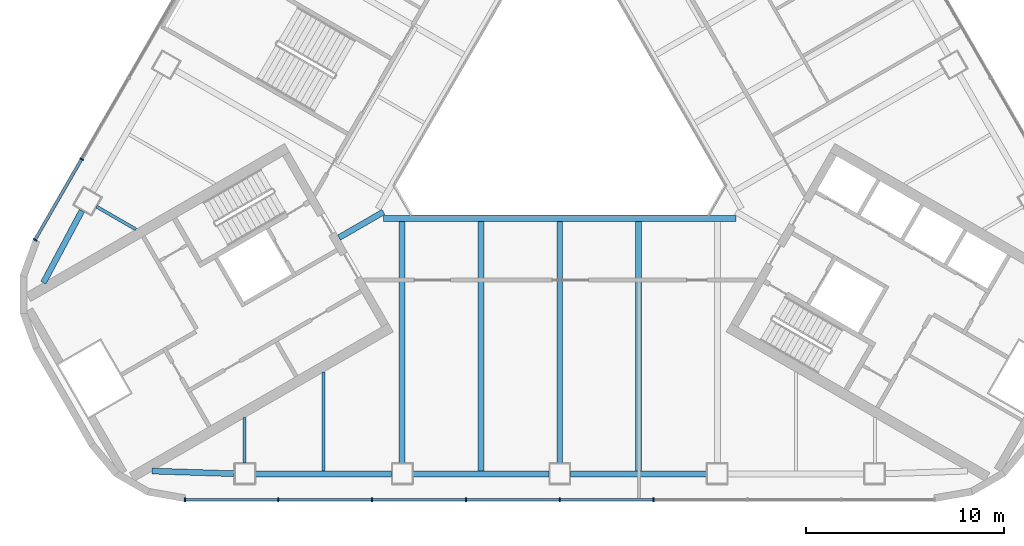
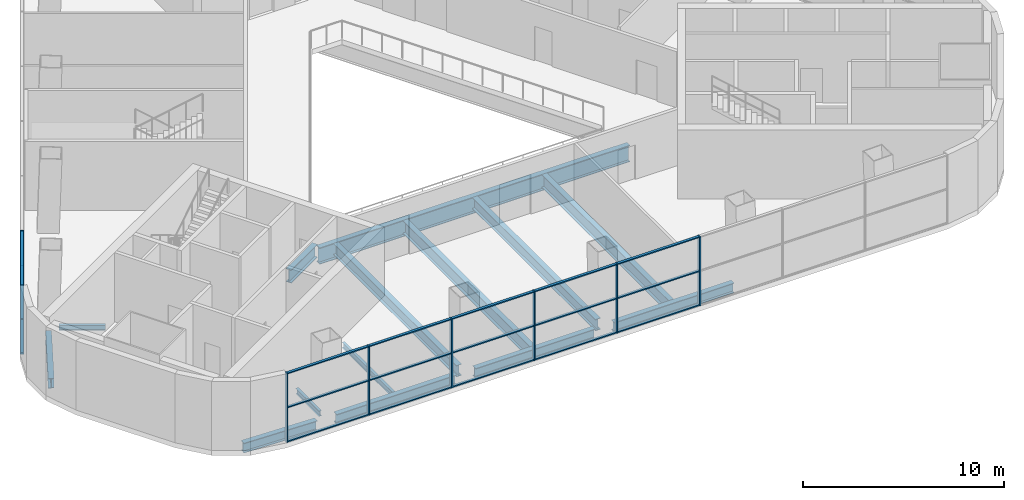
# One storey, part 2 of 12: 26 members, 14 beams, 2 elements without a shape of their own.
"""IFC4 building model written with IfcOpenShell, lengths in metres."""

from ifc_helpers import new_model, si_unit, direction, frame, origin, origin_2d, place, context, subcontext, project, spatial, rectangle, i_section, extrude, material, layer, layer_set, material_profile, profile_set, type_object, element, aggregate, save


model = new_model("IFC4")

# Units and contexts
model_context = context("Model", 3, precision=1e-05, world=origin(), true_north=direction((0.0, 1.0)))
body_context = subcontext(model_context, "Body", "Model", "MODEL_VIEW")
ifc_project = project(units=[si_unit("LENGTHUNIT", "METRE"), si_unit("AREAUNIT", "SQUARE_METRE"), si_unit("VOLUMEUNIT", "CUBIC_METRE"), si_unit("PLANEANGLEUNIT", "RADIAN"), si_unit("MASSUNIT", "GRAM", prefix="KILO")], contexts=[model_context])

# Site, building, storey
site_placement = place(None, origin())
site = spatial("IfcSite", under=ifc_project, at=site_placement, CompositionType="ELEMENT")
building_placement = place(site_placement, origin())
building = spatial("IfcBuilding", under=site, at=building_placement, Name="Apuvela Tower Hotel", CompositionType="ELEMENT")
storey_placement = place(building_placement, frame((0.0, 0.0, 28.5)))
storey = spatial("IfcBuildingStorey", under=building, at=storey_placement, Name="L04", CompositionType="ELEMENT", Elevation=28.5)

# Curtain wall, members
ifc_material_1 = material(Name="Aluminium 6063-T6, dark bronze anodised", Category="aluminium")
ifc_layer = layer(ifc_material_1, 0.199951171875)
ifc_layer_set = layer_set([ifc_layer], Name="ENV-CW-P")
curtain_wall_type = type_object("IfcCurtainWallType", Name="ENV-CW-P", PredefinedType="NOTDEFINED", material=ifc_layer_set)
curtain_wall_1_placement = place(storey_placement, origin())
curtain_wall_1 = element("IfcCurtainWall", 1, at=curtain_wall_1_placement, inside=storey, type_object=curtain_wall_type, Name="Curtain wall CW-P S L04", PredefinedType="NOTDEFINED")
ifc_material_profile_1 = material_profile(ifc_material_1, rectangle(XDim=0.199951171875, YDim=0.06494140625, at=origin_2d()), Name="AL 65x200")
ifc_profile_set_1 = profile_set([ifc_material_profile_1], Name="Aluminium 6063-T6, dark bronze anodised")
member_type_1 = type_object("IfcMemberType", Name="ENV-MULLION-65x200", PredefinedType="MULLION", material=ifc_profile_set_1)
member_1_placement = place(storey_placement, frame((-18.9599609375, -19.71435546875, 0.0), z_axis=(0.0, 0.0, 1.0), x_axis=(0.0, 1.0, 0.0)))
member_1 = element("IfcMember", 2, at=member_1_placement, type_object=member_type_1, Name="CW-P mullion 1", PredefinedType="MULLION", context=body_context, shape_type="SweptSolid", body=[
    extrude(rectangle(XDim=0.199951171875, YDim=0.06494140625, at=origin_2d()), origin(), (0.0, 0.0, 1.0), 4.199951171875),
])
member_2_placement = place(storey_placement, frame((-14.244384765625, -19.71435546875, 0.0), z_axis=(0.0, 0.0, 1.0), x_axis=(0.0, 1.0, 0.0)))
member_2 = element("IfcMember", 3, at=member_2_placement, type_object=member_type_1, Name="CW-P mullion 2", PredefinedType="MULLION", context=body_context, shape_type="SweptSolid", body=[
    extrude(rectangle(XDim=0.199951171875, YDim=0.06494140625, at=origin_2d()), origin(), (0.0, 0.0, 1.0), 4.199951171875),
])
member_3_placement = place(storey_placement, frame((-9.496337890625, -19.71435546875, 0.0), z_axis=(0.0, 0.0, 1.0), x_axis=(0.0, 1.0, 0.0)))
member_3 = element("IfcMember", 4, at=member_3_placement, type_object=member_type_1, Name="CW-P mullion 3", PredefinedType="MULLION", context=body_context, shape_type="SweptSolid", body=[
    extrude(rectangle(XDim=0.199951171875, YDim=0.06494140625, at=origin_2d()), origin(), (0.0, 0.0, 1.0), 4.199951171875),
])
member_4_placement = place(storey_placement, frame((-4.748046875, -19.71435546875, 0.0), z_axis=(0.0, 0.0, 1.0), x_axis=(0.0, 1.0, 0.0)))
member_4 = element("IfcMember", 5, at=member_4_placement, type_object=member_type_1, Name="CW-P mullion 4", PredefinedType="MULLION", context=body_context, shape_type="SweptSolid", body=[
    extrude(rectangle(XDim=0.199951171875, YDim=0.06494140625, at=origin_2d()), origin(), (0.0, 0.0, 1.0), 4.199951171875),
])
member_5_placement = place(storey_placement, frame((0.0, -19.71435546875, 0.0), z_axis=(0.0, 0.0, 1.0), x_axis=(0.0, 1.0, 0.0)))
member_5 = element("IfcMember", 6, at=member_5_placement, type_object=member_type_1, Name="CW-P mullion 5", PredefinedType="MULLION", context=body_context, shape_type="SweptSolid", body=[
    extrude(rectangle(XDim=0.199951171875, YDim=0.06494140625, at=origin_2d()), origin(), (0.0, 0.0, 1.0), 4.199951171875),
])
member_6_placement = place(storey_placement, frame((4.748046875, -19.71435546875, 0.0), z_axis=(0.0, 0.0, 1.0), x_axis=(0.0, 1.0, 0.0)))
member_6 = element("IfcMember", 7, at=member_6_placement, type_object=member_type_1, Name="CW-P mullion 6", PredefinedType="MULLION", context=body_context, shape_type="SweptSolid", body=[
    extrude(rectangle(XDim=0.199951171875, YDim=0.06494140625, at=origin_2d()), origin(), (0.0, 0.0, 1.0), 4.199951171875),
])

curtain_wall_2_placement = place(storey_placement, origin())
curtain_wall_2 = element("IfcCurtainWall", 8, at=curtain_wall_2_placement, inside=storey, type_object=curtain_wall_type, Name="Curtain wall CW-P NW L04", PredefinedType="NOTDEFINED")
member_7_placement = place(storey_placement, frame((-24.1953125, -2.478759765625, 0.0), z_axis=(0.0, 0.0, 1.0), x_axis=(0.866024428615, -0.500001689039, 0.0)))
member_7 = element("IfcMember", 9, at=member_7_placement, type_object=member_type_1, Name="CW-P mullion 8", PredefinedType="MULLION", context=body_context, shape_type="SweptSolid", body=[
    extrude(rectangle(XDim=0.199951171875, YDim=0.06494140625, at=origin_2d()), origin(), (0.0, 0.0, 1.0), 4.199951171875),
])
member_8_placement = place(storey_placement, frame((-26.55322265625, -6.562744140625, 0.0), z_axis=(0.0, 0.0, 1.0), x_axis=(0.866024428615, -0.500001689039, 0.0)))
member_8 = element("IfcMember", 10, at=member_8_placement, type_object=member_type_1, Name="CW-P mullion 9", PredefinedType="MULLION", context=body_context, shape_type="SweptSolid", body=[
    extrude(rectangle(XDim=0.199951171875, YDim=0.06494140625, at=origin_2d()), origin(), (0.0, 0.0, 1.0), 4.199951171875),
])

# Member
ifc_material_profile_2 = material_profile(ifc_material_1, rectangle(XDim=0.14990234375, YDim=0.06494140625, at=origin_2d()), Name="AL 65x150 transom")
ifc_profile_set_2 = profile_set([ifc_material_profile_2], Name="Aluminium 6063-T6, dark bronze anodised")
member_type_2 = type_object("IfcMemberType", Name="ENV-TRANSOM-65x150", PredefinedType="USERDEFINED", material=ifc_profile_set_2)
member_9_placement = place(storey_placement, frame((-18.927490234375, -19.71435546875, 0.032470703125), z_axis=(1.0, 0.0, 0.0), x_axis=(0.0, 1.0, 0.0)))
member_9 = element("IfcMember", 11, at=member_9_placement, type_object=member_type_2, Name="CW-P transom 1.1", ObjectType="TRANSOM", PredefinedType="USERDEFINED", context=body_context, shape_type="SweptSolid", body=[
    extrude(rectangle(XDim=0.14990234375, YDim=0.06494140625, at=origin_2d()), origin(), (0.0, 0.0, 1.0), 4.650634765625),
])

member_10_placement = place(storey_placement, frame((-18.927490234375, -19.71435546875, 2.10009765625), z_axis=(1.0, 0.0, 0.0), x_axis=(0.0, 1.0, 0.0)))
member_10 = element("IfcMember", 12, at=member_10_placement, type_object=member_type_2, Name="CW-P transom 1.2", ObjectType="TRANSOM", PredefinedType="USERDEFINED", context=body_context, shape_type="SweptSolid", body=[
    extrude(rectangle(XDim=0.14990234375, YDim=0.06494140625, at=origin_2d()), origin(), (0.0, 0.0, 1.0), 4.650634765625),
])

member_11_placement = place(storey_placement, frame((-18.927490234375, -19.71435546875, 4.16748046875), z_axis=(1.0, 0.0, 0.0), x_axis=(0.0, 1.0, 0.0)))
member_11 = element("IfcMember", 13, at=member_11_placement, type_object=member_type_2, Name="CW-P transom 1.3", ObjectType="TRANSOM", PredefinedType="USERDEFINED", context=body_context, shape_type="SweptSolid", body=[
    extrude(rectangle(XDim=0.14990234375, YDim=0.06494140625, at=origin_2d()), origin(), (0.0, 0.0, 1.0), 4.650634765625),
])

member_12_placement = place(storey_placement, frame((-14.2119140625, -19.71435546875, 0.032470703125), z_axis=(1.0, 0.0, 0.0), x_axis=(0.0, 1.0, 0.0)))
member_12 = element("IfcMember", 14, at=member_12_placement, type_object=member_type_2, Name="CW-P transom 2.1", ObjectType="TRANSOM", PredefinedType="USERDEFINED", context=body_context, shape_type="SweptSolid", body=[
    extrude(rectangle(XDim=0.14990234375, YDim=0.06494140625, at=origin_2d()), origin(), (0.0, 0.0, 1.0), 4.68310546875),
])

member_13_placement = place(storey_placement, frame((-14.2119140625, -19.71435546875, 2.10009765625), z_axis=(1.0, 0.0, 0.0), x_axis=(0.0, 1.0, 0.0)))
member_13 = element("IfcMember", 15, at=member_13_placement, type_object=member_type_2, Name="CW-P transom 2.2", ObjectType="TRANSOM", PredefinedType="USERDEFINED", context=body_context, shape_type="SweptSolid", body=[
    extrude(rectangle(XDim=0.14990234375, YDim=0.06494140625, at=origin_2d()), origin(), (0.0, 0.0, 1.0), 4.68310546875),
])

member_14_placement = place(storey_placement, frame((-14.2119140625, -19.71435546875, 4.16748046875), z_axis=(1.0, 0.0, 0.0), x_axis=(0.0, 1.0, 0.0)))
member_14 = element("IfcMember", 16, at=member_14_placement, type_object=member_type_2, Name="CW-P transom 2.3", ObjectType="TRANSOM", PredefinedType="USERDEFINED", context=body_context, shape_type="SweptSolid", body=[
    extrude(rectangle(XDim=0.14990234375, YDim=0.06494140625, at=origin_2d()), origin(), (0.0, 0.0, 1.0), 4.68310546875),
])

member_15_placement = place(storey_placement, frame((-9.4638671875, -19.71435546875, 0.032470703125), z_axis=(1.0, 0.0, 0.0), x_axis=(0.0, 1.0, 0.0)))
member_15 = element("IfcMember", 17, at=member_15_placement, type_object=member_type_2, Name="CW-P transom 3.1", ObjectType="TRANSOM", PredefinedType="USERDEFINED", context=body_context, shape_type="SweptSolid", body=[
    extrude(rectangle(XDim=0.14990234375, YDim=0.06494140625, at=origin_2d()), origin(), (0.0, 0.0, 1.0), 4.683349609375),
])

member_16_placement = place(storey_placement, frame((-9.4638671875, -19.71435546875, 2.10009765625), z_axis=(1.0, 0.0, 0.0), x_axis=(0.0, 1.0, 0.0)))
member_16 = element("IfcMember", 18, at=member_16_placement, type_object=member_type_2, Name="CW-P transom 3.2", ObjectType="TRANSOM", PredefinedType="USERDEFINED", context=body_context, shape_type="SweptSolid", body=[
    extrude(rectangle(XDim=0.14990234375, YDim=0.06494140625, at=origin_2d()), origin(), (0.0, 0.0, 1.0), 4.683349609375),
])

member_17_placement = place(storey_placement, frame((-9.4638671875, -19.71435546875, 4.16748046875), z_axis=(1.0, 0.0, 0.0), x_axis=(0.0, 1.0, 0.0)))
member_17 = element("IfcMember", 19, at=member_17_placement, type_object=member_type_2, Name="CW-P transom 3.3", ObjectType="TRANSOM", PredefinedType="USERDEFINED", context=body_context, shape_type="SweptSolid", body=[
    extrude(rectangle(XDim=0.14990234375, YDim=0.06494140625, at=origin_2d()), origin(), (0.0, 0.0, 1.0), 4.683349609375),
])

member_18_placement = place(storey_placement, frame((-4.715576171875, -19.71435546875, 0.032470703125), z_axis=(1.0, 0.0, 0.0), x_axis=(0.0, 1.0, 0.0)))
member_18 = element("IfcMember", 20, at=member_18_placement, type_object=member_type_2, Name="CW-P transom 4.1", ObjectType="TRANSOM", PredefinedType="USERDEFINED", context=body_context, shape_type="SweptSolid", body=[
    extrude(rectangle(XDim=0.14990234375, YDim=0.06494140625, at=origin_2d()), origin(), (0.0, 0.0, 1.0), 4.68310546875),
])

member_19_placement = place(storey_placement, frame((-4.715576171875, -19.71435546875, 2.10009765625), z_axis=(1.0, 0.0, 0.0), x_axis=(0.0, 1.0, 0.0)))
member_19 = element("IfcMember", 21, at=member_19_placement, type_object=member_type_2, Name="CW-P transom 4.2", ObjectType="TRANSOM", PredefinedType="USERDEFINED", context=body_context, shape_type="SweptSolid", body=[
    extrude(rectangle(XDim=0.14990234375, YDim=0.06494140625, at=origin_2d()), origin(), (0.0, 0.0, 1.0), 4.68310546875),
])

member_20_placement = place(storey_placement, frame((-4.715576171875, -19.71435546875, 4.16748046875), z_axis=(1.0, 0.0, 0.0), x_axis=(0.0, 1.0, 0.0)))
member_20 = element("IfcMember", 22, at=member_20_placement, type_object=member_type_2, Name="CW-P transom 4.3", ObjectType="TRANSOM", PredefinedType="USERDEFINED", context=body_context, shape_type="SweptSolid", body=[
    extrude(rectangle(XDim=0.14990234375, YDim=0.06494140625, at=origin_2d()), origin(), (0.0, 0.0, 1.0), 4.68310546875),
])

member_21_placement = place(storey_placement, frame((0.032470703125, -19.71435546875, 0.032470703125), z_axis=(1.0, 0.0, 0.0), x_axis=(0.0, 1.0, 0.0)))
member_21 = element("IfcMember", 23, at=member_21_placement, type_object=member_type_2, Name="CW-P transom 5.1", ObjectType="TRANSOM", PredefinedType="USERDEFINED", context=body_context, shape_type="SweptSolid", body=[
    extrude(rectangle(XDim=0.14990234375, YDim=0.06494140625, at=origin_2d()), origin(), (0.0, 0.0, 1.0), 4.68310546875),
])

member_22_placement = place(storey_placement, frame((0.032470703125, -19.71435546875, 2.10009765625), z_axis=(1.0, 0.0, 0.0), x_axis=(0.0, 1.0, 0.0)))
member_22 = element("IfcMember", 24, at=member_22_placement, type_object=member_type_2, Name="CW-P transom 5.2", ObjectType="TRANSOM", PredefinedType="USERDEFINED", context=body_context, shape_type="SweptSolid", body=[
    extrude(rectangle(XDim=0.14990234375, YDim=0.06494140625, at=origin_2d()), origin(), (0.0, 0.0, 1.0), 4.68310546875),
])

member_23_placement = place(storey_placement, frame((0.032470703125, -19.71435546875, 4.16748046875), z_axis=(1.0, 0.0, 0.0), x_axis=(0.0, 1.0, 0.0)))
member_23 = element("IfcMember", 25, at=member_23_placement, type_object=member_type_2, Name="CW-P transom 5.3", ObjectType="TRANSOM", PredefinedType="USERDEFINED", context=body_context, shape_type="SweptSolid", body=[
    extrude(rectangle(XDim=0.14990234375, YDim=0.06494140625, at=origin_2d()), origin(), (0.0, 0.0, 1.0), 4.68310546875),
])

aggregate(curtain_wall_1, [member_1, member_2, member_3, member_4, member_5, member_6, member_9, member_10, member_11, member_12, member_13, member_14, member_15, member_16, member_17, member_18, member_19, member_20, member_21, member_22, member_23])

member_24_placement = place(storey_placement, frame((-24.211669921875, -2.5068359375, 0.032470703125), z_axis=(-0.499978447692, -0.866037846658, 0.0), x_axis=(0.866037846658, -0.499978447692, 0.0)))
member_24 = element("IfcMember", 26, at=member_24_placement, type_object=member_type_2, Name="CW-P transom 8.1", ObjectType="TRANSOM", PredefinedType="USERDEFINED", context=body_context, shape_type="SweptSolid", body=[
    extrude(rectangle(XDim=0.14990234375, YDim=0.06494140625, at=origin_2d()), origin(), (0.0, 0.0, 1.0), 4.650634765625),
])

member_25_placement = place(storey_placement, frame((-24.211669921875, -2.5068359375, 2.10009765625), z_axis=(-0.499978447692, -0.866037846658, 0.0), x_axis=(0.866037846658, -0.499978447692, 0.0)))
member_25 = element("IfcMember", 27, at=member_25_placement, type_object=member_type_2, Name="CW-P transom 8.2", ObjectType="TRANSOM", PredefinedType="USERDEFINED", context=body_context, shape_type="SweptSolid", body=[
    extrude(rectangle(XDim=0.14990234375, YDim=0.06494140625, at=origin_2d()), origin(), (0.0, 0.0, 1.0), 4.650634765625),
])

member_26_placement = place(storey_placement, frame((-24.211669921875, -2.5068359375, 4.16748046875), z_axis=(-0.499978447692, -0.866037846658, 0.0), x_axis=(0.866037846658, -0.499978447692, 0.0)))
member_26 = element("IfcMember", 28, at=member_26_placement, type_object=member_type_2, Name="CW-P transom 8.3", ObjectType="TRANSOM", PredefinedType="USERDEFINED", context=body_context, shape_type="SweptSolid", body=[
    extrude(rectangle(XDim=0.14990234375, YDim=0.06494140625, at=origin_2d()), origin(), (0.0, 0.0, 1.0), 4.650634765625),
])

aggregate(curtain_wall_2, [member_7, member_8, member_24, member_25, member_26])

# Beams
ifc_material_2 = material(Name="Steel S355", Category="steel")
ifc_material_profile_3 = material_profile(ifc_material_2, i_section(OverallWidth=0.300048828125, OverallDepth=0.68994140625, WebThickness=0.014404296875, FlangeThickness=0.027099609375, at=origin_2d()), Name="HE 700 A")
ifc_profile_set_3 = profile_set([ifc_material_profile_3], Name="Steel S355")
beam_type_1 = type_object("IfcBeamType", Name="STR-B floor beam HE 700 A", PredefinedType="BEAM", material=ifc_profile_set_3)
for number, where, z_axis, x_axis, name in (
    (29, (-7.97412109375, -17.8642578125, -0.64501953125), (0.0, 1.0, 0.0), (-1.0, 0.0, 0.0), "Floor beam B6 S3"),
    (30, (0.0, -17.8642578125, -0.64501953125), (0.0, 1.0, 0.0), (-1.0, 0.0, 0.0), "Floor beam B6 S5"),
):
    element("IfcBeam", number, at=place(storey_placement, frame(where, z_axis=z_axis, x_axis=x_axis)), inside=storey, type_object=beam_type_1, Name=name, PredefinedType="BEAM", context=body_context, shape_type="SweptSolid", body=[
        extrude(i_section(OverallWidth=0.300048828125, OverallDepth=0.68994140625, WebThickness=0.014404296875, FlangeThickness=0.027099609375, at=origin_2d()), origin(), (0.0, 0.0, 1.0), 12.2421875),
    ])
ifc_material_profile_4 = material_profile(ifc_material_2, i_section(OverallWidth=0.300048828125, OverallDepth=0.7900390625, WebThickness=0.014892578125, FlangeThickness=0.028076171875, at=origin_2d()), Name="HE 800 A")
ifc_profile_set_4 = profile_set([ifc_material_profile_4], Name="Steel S355")
beam_type_2 = type_object("IfcBeamType", Name="STR-B floor beam HE 800 A", PredefinedType="BEAM", material=ifc_profile_set_4)
for number, where, z_axis, x_axis, name in (
    (31, (-3.987060546875, -18.264404296875, -0.695068359375), (0.0, 1.0, 0.0), (-1.0, 0.0, 0.0), "Floor beam B5 S4"),
    (32, (3.987060546875, -18.264404296875, -0.695068359375), (0.0, 1.0, 0.0), (-1.0, 0.0, 0.0), "Floor beam B5 S6"),
):
    element("IfcBeam", number, at=place(storey_placement, frame(where, z_axis=z_axis, x_axis=x_axis)), inside=storey, type_object=beam_type_2, Name=name, PredefinedType="BEAM", context=body_context, shape_type="SweptSolid", body=[
        extrude(i_section(OverallWidth=0.300048828125, OverallDepth=0.7900390625, WebThickness=0.014892578125, FlangeThickness=0.028076171875, at=origin_2d()), origin(), (0.0, 0.0, 1.0), 12.642333984375),
    ])
ifc_material_profile_5 = material_profile(ifc_material_2, i_section(OverallWidth=0.159912109375, OverallDepth=0.330078125, WebThickness=0.007568359375, FlangeThickness=0.011474609375, at=origin_2d()), Name="IPE 330")
ifc_profile_set_5 = profile_set([ifc_material_profile_5], Name="Steel S355")
beam_type_3 = type_object("IfcBeamType", Name="STR-B floor beam IPE 330", PredefinedType="BEAM", material=ifc_profile_set_5)
for number, where, z_axis, x_axis, name in (
    (33, (-23.445068359375, -4.87939453125, -0.465087890625), (0.865959852031, -0.500113521783, 0.0), (0.500113521783, 0.865959852031, 0.0), "Floor beam B1 NW9"),
    (34, (-15.948486328125, -17.8642578125, -0.465087890625), (0.0, 1.0, 0.0), (-1.0, 0.0, 0.0), "Floor beam B1 S1"),
):
    element("IfcBeam", number, at=place(storey_placement, frame(where, z_axis=z_axis, x_axis=x_axis)), inside=storey, type_object=beam_type_3, Name=name, PredefinedType="BEAM", context=body_context, shape_type="SweptSolid", body=[
        extrude(i_section(OverallWidth=0.159912109375, OverallDepth=0.330078125, WebThickness=0.007568359375, FlangeThickness=0.011474609375, at=origin_2d()), origin(), (0.0, 0.0, 1.0), 2.3056640625),
    ])
beam_1_placement = place(storey_placement, frame((-11.961181640625, -18.264404296875, -0.465087890625), z_axis=(0.0, 1.0, 0.0), x_axis=(-1.0, 0.0, 0.0)))
element("IfcBeam", 35, at=beam_1_placement, inside=storey, type_object=beam_type_3, Name="Floor beam B1 S2", PredefinedType="BEAM", context=body_context, shape_type="SweptSolid", body=[
    extrude(i_section(OverallWidth=0.159912109375, OverallDepth=0.330078125, WebThickness=0.007568359375, FlangeThickness=0.011474609375, at=origin_2d()), origin(), (0.0, 0.0, 1.0), 5.0078125),
])
ifc_material_profile_6 = material_profile(ifc_material_2, i_section(OverallWidth=0.302001953125, OverallDepth=1.008056640625, WebThickness=0.02099609375, FlangeThickness=0.0400390625, at=origin_2d()), Name="HE 1000 M")
ifc_profile_set_6 = profile_set([ifc_material_profile_6], Name="Steel S355")
beam_type_4 = type_object("IfcBeamType", Name="STR-G atrium ring girder HE 1000 M", PredefinedType="BEAM", material=ifc_profile_set_6)
beam_2_placement = place(storey_placement, frame((-8.91455078125, -5.470947265625, -0.803955078125), z_axis=(1.0, 0.0, 0.0), x_axis=(0.0, 1.0, 0.0)))
element("IfcBeam", 36, at=beam_2_placement, inside=storey, type_object=beam_type_4, Name="Atrium ring girder G1 SW-SE", PredefinedType="BEAM", context=body_context, shape_type="SweptSolid", body=[
    extrude(i_section(OverallWidth=0.302001953125, OverallDepth=1.008056640625, WebThickness=0.02099609375, FlangeThickness=0.0400390625, at=origin_2d()), origin(), (0.0, 0.0, 1.0), 17.8291015625),
])
ifc_material_profile_7 = material_profile(ifc_material_2, i_section(OverallWidth=0.300048828125, OverallDepth=0.800048828125, WebThickness=0.017578125, FlangeThickness=0.032958984375, at=origin_2d()), Name="HE 800 B")
ifc_profile_set_7 = profile_set([ifc_material_profile_7], Name="Steel S355")
beam_type_5 = type_object("IfcBeamType", Name="STR-GT core tie beam HE 800 B", PredefinedType="BEAM", material=ifc_profile_set_7)
beam_3_placement = place(storey_placement, frame((-11.171630859375, -6.449951171875, -0.699951171875), z_axis=(0.865997922154, 0.500047596559, 0.0), x_axis=(-0.500047596559, 0.865997922154, 0.0)))
element("IfcBeam", 37, at=beam_3_placement, inside=storey, type_object=beam_type_5, Name="Core tie beam GT1 SW", PredefinedType="BEAM", context=body_context, shape_type="SweptSolid", body=[
    extrude(i_section(OverallWidth=0.300048828125, OverallDepth=0.800048828125, WebThickness=0.017578125, FlangeThickness=0.032958984375, at=origin_2d()), origin(), (0.0, 0.0, 1.0), 2.599853515625),
])
ifc_material_profile_8 = material_profile(ifc_material_2, i_section(OverallWidth=0.300048828125, OverallDepth=0.60009765625, WebThickness=0.015380859375, FlangeThickness=0.030029296875, at=origin_2d()), Name="HE 600 B")
ifc_profile_set_8 = profile_set([ifc_material_profile_8], Name="Steel S355")
beam_type_6 = type_object("IfcBeamType", Name="STR-SB spandrel beam HE 600 B", PredefinedType="SPANDREL", material=ifc_profile_set_8)
for number, where, z_axis, x_axis, name in (
    (38, (-15.3984375, -18.414306640625, -0.60009765625), (1.0, 0.0, 0.0), (0.0, 1.0, 0.0), "Spandrel beam SB1 S1"),
    (39, (-7.42431640625, -18.414306640625, -0.60009765625), (1.0, 0.0, 0.0), (0.0, 1.0, 0.0), "Spandrel beam SB1 S2"),
    (40, (0.550048828125, -18.414306640625, -0.60009765625), (1.0, 0.0, 0.0), (0.0, 1.0, 0.0), "Spandrel beam SB1 S3"),
):
    element("IfcBeam", number, at=place(storey_placement, frame(where, z_axis=z_axis, x_axis=x_axis)), inside=storey, type_object=beam_type_6, Name=name, PredefinedType="SPANDREL", context=body_context, shape_type="SweptSolid", body=[
        extrude(i_section(OverallWidth=0.300048828125, OverallDepth=0.60009765625, WebThickness=0.015380859375, FlangeThickness=0.030029296875, at=origin_2d()), origin(), (0.0, 0.0, 1.0), 6.874267578125),
    ])
beam_4_placement = place(storey_placement, frame((-16.498291015625, -18.396484375, -0.60009765625), z_axis=(-0.999480666343, 0.032224177374, 0.0), x_axis=(-0.032224177374, -0.999480666343, 0.0)))
element("IfcBeam", 41, at=beam_4_placement, inside=storey, type_object=beam_type_6, Name="Spandrel beam SB1 S1-SW", PredefinedType="SPANDREL", context=body_context, shape_type="SweptSolid", body=[
    extrude(i_section(OverallWidth=0.300048828125, OverallDepth=0.60009765625, WebThickness=0.015380859375, FlangeThickness=0.030029296875, at=origin_2d()), origin(), (0.0, 0.0, 1.0), 4.13671875),
])
beam_5_placement = place(storey_placement, frame((-24.18115234375, -5.089599609375, -0.60009765625), z_axis=(-0.471806991, -0.88170185621, 0.0), x_axis=(0.88170185621, -0.471806991, 0.0)))
element("IfcBeam", 42, at=beam_5_placement, inside=storey, type_object=beam_type_6, Name="Spandrel beam SB1 NW5-SW", PredefinedType="SPANDREL", context=body_context, shape_type="SweptSolid", body=[
    extrude(i_section(OverallWidth=0.300048828125, OverallDepth=0.60009765625, WebThickness=0.015380859375, FlangeThickness=0.030029296875, at=origin_2d()), origin(), (0.0, 0.0, 1.0), 4.136474609375),
])

save(model, "model.ifc")
